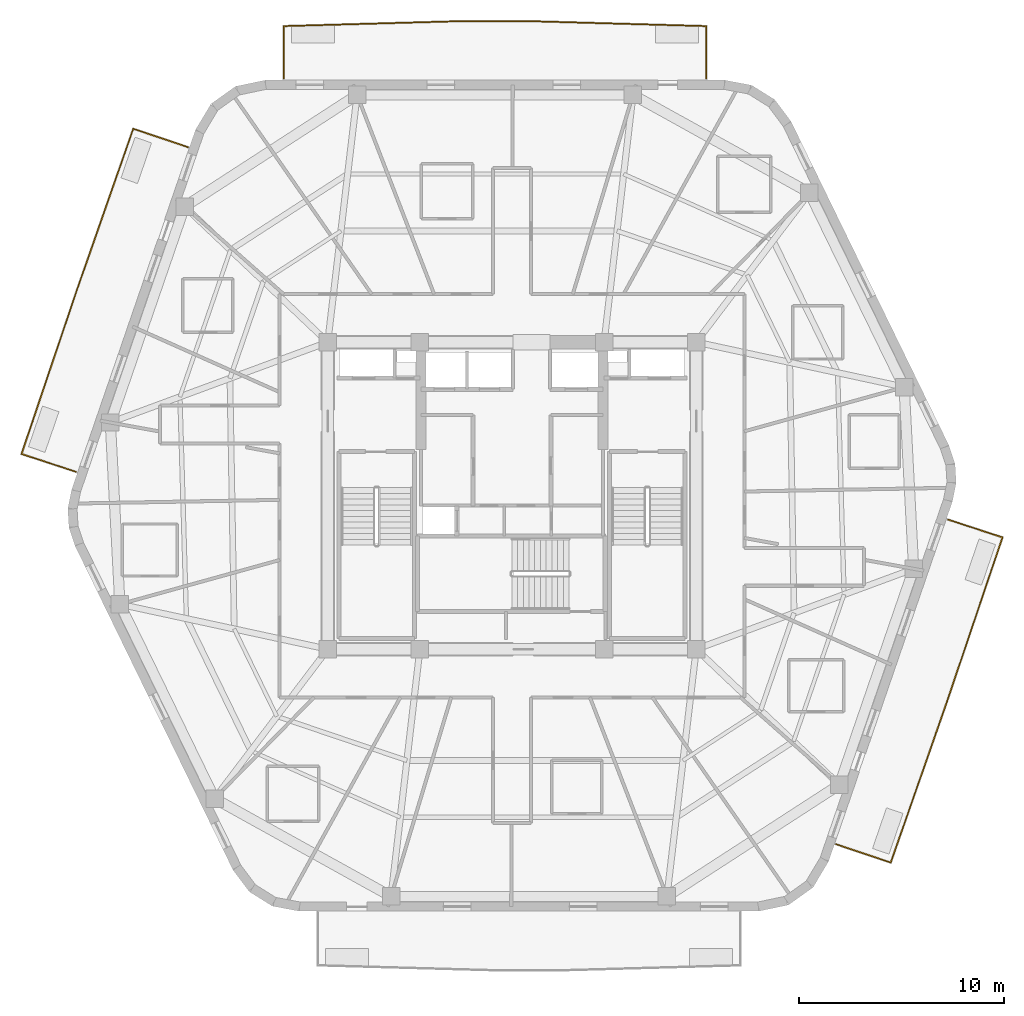
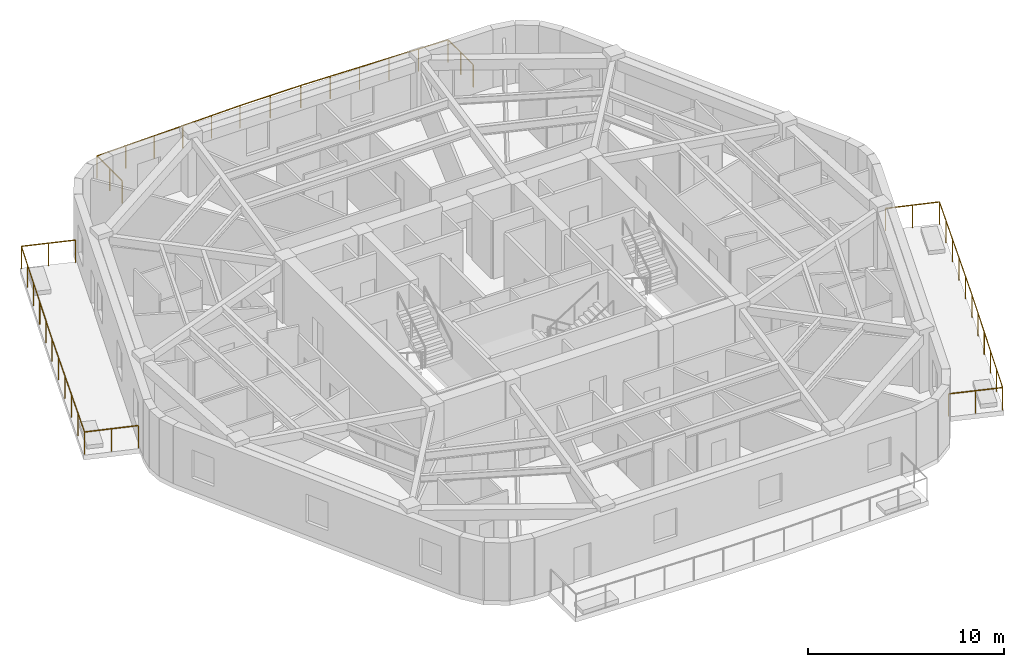
# One storey, part 9 of 9: 3 railings.
"""IFC4 building model written with IfcOpenShell, lengths in metres."""

import ifcopenshell
import ifcopenshell.guid

model = None  # the IFC model being written
_history = None  # IfcOwnerHistory: only IFC2X3 demands one
_inside = {}  # id of a spatial element -> (the spatial element, [elements in it])
_under = {}  # id of a project, library or spatial element -> (it, [spatial elements below it])
_declared = {}  # id of a project -> (the project, [libraries it declares])
_typed = {}  # id of a type object -> (the type object, [elements of that type])
_made_of = {}  # id of a material, layer set ... -> (it, [elements and type objects made of it])


def new_model(schema):
    """Start an empty IFC model of exactly this schema.

    Asked for "IFC4X3", IfcOpenShell would pick the latest addendum, in which some entities
    have other attributes; the version numbers below select the first issue.
    IFC2X3 requires an IfcOwnerHistory on every rooted entity: one is made here for all.
    """
    global model, _history
    if schema == "IFC4X3":
        model = ifcopenshell.file(schema_version=(4, 3, 0, 0))
    else:
        model = ifcopenshell.file(schema=schema)
    _inside.clear()
    _under.clear()
    _declared.clear()
    _typed.clear()
    _made_of.clear()
    _history = None
    if model.schema == "IFC2X3":
        org = make("IfcOrganization", Name="unknown")
        user = make(
            "IfcPersonAndOrganization",
            ThePerson=make("IfcPerson", FamilyName="unknown"),
            TheOrganization=org,
        )
        app = make(
            "IfcApplication",
            ApplicationDeveloper=org,
            Version="unknown",
            ApplicationFullName="unknown",
            ApplicationIdentifier="unknown",
        )
        _history = make(
            "IfcOwnerHistory",
            OwningUser=user,
            OwningApplication=app,
            ChangeAction="ADDED",
            CreationDate=0,
        )
    return model


def make(cls, **values):
    """One entity of the class cls with the attributes given. An attribute that is None is left unset."""
    return model.create_entity(
        cls, **{name: value for name, value in values.items() if value is not None}
    )


def rooted(cls, **values):
    """An entity with a GlobalId (a new one), such as an element, a storey or a relation."""
    return make(cls, GlobalId=ifcopenshell.guid.new(), OwnerHistory=_history, **values)


def si_unit(unit_type, name, prefix=None):
    """IfcSIUnit, for example si_unit("LENGTHUNIT", "METRE", prefix="MILLI")."""
    return make("IfcSIUnit", UnitType=unit_type, Prefix=prefix, Name=name)


def assignment(units):
    """IfcUnitAssignment: the units of a project."""
    return None if units is None else make("IfcUnitAssignment", Units=units)


def point(xyz):
    """IfcCartesianPoint."""
    return None if xyz is None else make("IfcCartesianPoint", Coordinates=xyz)


def direction(xyz):
    """IfcDirection."""
    return None if xyz is None else make("IfcDirection", DirectionRatios=xyz)


def frame(location, z_axis=None, x_axis=None):
    """IfcAxis2Placement3D, a coordinate frame: its origin and axes. An axis left out is left unset."""
    return make(
        "IfcAxis2Placement3D",
        Location=point(location),
        Axis=direction(z_axis),
        RefDirection=direction(x_axis),
    )


def frame_2d(location, x_axis=None):
    """IfcAxis2Placement2D, a coordinate frame in the plane: its origin and x axis."""
    return make(
        "IfcAxis2Placement2D", Location=point(location), RefDirection=direction(x_axis)
    )


def origin():
    """The frame at (0, 0, 0) with its axes left unset."""
    return frame((0.0, 0.0, 0.0))


def origin_2d():
    """The frame at (0, 0) in the plane with its x axis left unset."""
    return frame_2d((0.0, 0.0))


def place(relative_to, where):
    """IfcLocalPlacement: puts the frame where relative to a parent placement (None: the world)."""
    return make(
        "IfcLocalPlacement", PlacementRelTo=relative_to, RelativePlacement=where
    )


def context(
    kind, dimensions, precision=None, world=None, true_north=None, identifier=None
):
    """IfcGeometricRepresentationContext, for example the 3D "Model" context."""
    return make(
        "IfcGeometricRepresentationContext",
        ContextIdentifier=identifier,
        ContextType=kind,
        CoordinateSpaceDimension=dimensions,
        Precision=precision,
        WorldCoordinateSystem=world,
        TrueNorth=true_north,
    )


def subcontext(parent, identifier, kind, view, scale=None):
    """IfcGeometricRepresentationSubContext, for example "Body" below "Model"."""
    return make(
        "IfcGeometricRepresentationSubContext",
        ContextIdentifier=identifier,
        ContextType=kind,
        ParentContext=parent,
        TargetScale=scale,
        TargetView=view,
    )


def project(units=None, contexts=None):
    """IfcProject with its units and contexts."""
    return rooted(
        "IfcProject",
        Name="project",
        RepresentationContexts=contexts,
        UnitsInContext=assignment(units),
    )


def spatial(cls, under=None, at=None, **own):
    """A site, building, storey or space (cls), placed at a placement, below another one or the project."""
    s = rooted(cls, ObjectPlacement=at, **own)
    if under is not None:
        _under.setdefault(under.id(), (under, []))[1].append(s)
    return s


def profile(cls, at=None, kind="AREA", **sizes):
    """A parametric profile (cls). Its sizes go by their IFC names, for example OverallWidth=200.0."""
    return make(cls, ProfileType=kind, Position=at, **sizes)


def rectangle(**sizes):
    """IfcRectangleProfileDef."""
    return profile("IfcRectangleProfileDef", **sizes)


def extrude(swept, where, along, depth):
    """IfcExtrudedAreaSolid: the profile swept, set in the frame where, extruded along a direction by depth."""
    return make(
        "IfcExtrudedAreaSolid",
        SweptArea=swept,
        Position=where,
        ExtrudedDirection=direction(along),
        Depth=depth,
    )


def shape(context_of_items, identifier, shape_type, items):
    """IfcShapeRepresentation: the items that make up one representation, for example the "Body"."""
    return make(
        "IfcShapeRepresentation",
        ContextOfItems=context_of_items,
        RepresentationIdentifier=identifier,
        RepresentationType=shape_type,
        Items=items,
    )


def material(Name=None, Category=None):
    """IfcMaterial."""
    return make("IfcMaterial", Name=Name, Category=Category)


def layer(
    of_material, thickness, ventilated=None, Name=None, Category=None, Priority=None
):
    """IfcMaterialLayer: one layer of a wall or slab, of a material (None: an air gap)."""
    return make(
        "IfcMaterialLayer",
        Material=of_material,
        LayerThickness=thickness,
        IsVentilated=ventilated,
        Name=Name,
        Category=Category,
        Priority=Priority,
    )


def layer_set(layers, Name=None):
    """IfcMaterialLayerSet."""
    return make("IfcMaterialLayerSet", MaterialLayers=layers, LayerSetName=Name)


def made_of(thing, what):
    """Note that an element or type object is made of a material, layer set ...; save() writes the relation."""
    if what is not None:
        _made_of.setdefault(what.id(), (what, []))[1].append(thing)
    return thing


def type_object(cls, material=None, **own):
    """A type object (cls), such as IfcWallType, which elements share."""
    return made_of(rooted(cls, **own), material)


def element(
    cls,
    number,
    at=None,
    inside=None,
    cuts=None,
    type_object=None,
    material=None,
    context=None,
    identifier="Body",
    shape_type=None,
    held_by="IfcProductDefinitionShape",
    body=None,
    shapes=None,
    **own,
):
    """One element of the class cls, such as IfcWall. Its Tag is "e" and its number.

    at: its placement. inside: the storey or other place that contains it. cuts: it is an
    opening in that element (IfcRelVoidsElement). A single representation is given by context,
    identifier, shape_type and body (its items); several are given by shapes. held_by: the class
    of the entity that holds the representations. save() writes the other relations.
    """
    e = rooted(cls, Tag="e%d" % number, ObjectPlacement=at, **own)
    if body is not None:
        shapes = [shape(context, identifier, shape_type, body)]
    if shapes is not None:
        e.Representation = make(held_by, Representations=shapes)
    if inside is not None:
        _inside.setdefault(inside.id(), (inside, []))[1].append(e)
    if cuts is not None:
        rooted(
            "IfcRelVoidsElement", RelatingBuildingElement=cuts, RelatedOpeningElement=e
        )
    if type_object is not None:
        _typed.setdefault(type_object.id(), (type_object, []))[1].append(e)
    return made_of(e, material)


def aggregate(whole, parts):
    """IfcRelAggregates: a whole, such as a stair, and the parts it consists of."""
    return rooted("IfcRelAggregates", RelatingObject=whole, RelatedObjects=parts)


def save(model, path):
    """Write the relations noted so far, then the file.

    IfcRelAggregates (storeys below a building ...), IfcRelContainedInSpatialStructure (elements
    in a storey), IfcRelDefinesByType, IfcRelAssociatesMaterial and IfcRelDeclares: one each for
    every whole, place, type object, material and project.
    """
    for whole, parts in _under.values():
        aggregate(whole, parts)
    for where, things in _inside.values():
        rooted(
            "IfcRelContainedInSpatialStructure",
            RelatedElements=things,
            RelatingStructure=where,
        )
    for kind, things in _typed.values():
        rooted("IfcRelDefinesByType", RelatedObjects=things, RelatingType=kind)
    for what, things in _made_of.values():
        rooted("IfcRelAssociatesMaterial", RelatedObjects=things, RelatingMaterial=what)
    for by, libraries in _declared.values():
        rooted("IfcRelDeclares", RelatingContext=by, RelatedDefinitions=libraries)
    model.write(path)


model = new_model("IFC4")

# Units and contexts
model_context = context("Model", 3, precision=1e-05, world=origin(), true_north=direction((0.0, 1.0)))
body_context = subcontext(model_context, "Body", "Model", "MODEL_VIEW")
ifc_project = project(units=[si_unit("LENGTHUNIT", "METRE"), si_unit("AREAUNIT", "SQUARE_METRE"), si_unit("VOLUMEUNIT", "CUBIC_METRE"), si_unit("PLANEANGLEUNIT", "RADIAN"), si_unit("MASSUNIT", "GRAM", prefix="KILO")], contexts=[model_context])

# Site, building, storey
site_placement = place(None, origin())
site = spatial("IfcSite", under=ifc_project, at=site_placement, CompositionType="ELEMENT")
building_placement = place(site_placement, origin())
building = spatial("IfcBuilding", under=site, at=building_placement, Name="Kilnhurst Terrace Hotel", CompositionType="ELEMENT")
storey_placement = place(building_placement, frame((0.0, 0.0, 261.300048828125)))
storey = spatial("IfcBuildingStorey", under=building, at=storey_placement, Name="L65", CompositionType="ELEMENT", Elevation=261.300048828125)

# Railings
ifc_material = material(Name="Laminated SentryGlas and Stainless Steel AISI 316L Balustrade", Category="steel")
ifc_layer = layer(ifc_material, 0.070068359375, Name="Laminated SentryGlas and Stainless Steel AISI 316L Balustrade")
ifc_layer_set = layer_set([ifc_layer], Name="Laminated SentryGlas and Stainless Steel AISI 316L Balustrade")
railing_type = type_object("IfcRailingType", Name="RLG-BAL-1420", PredefinedType="BALUSTRADE", material=ifc_layer_set)
railing_1_placement = place(storey_placement, frame((21.298828125, -1.166748046875, 0.0)))
element("IfcRailing", 1, at=railing_1_placement, inside=storey, type_object=railing_type, Name="L65 Exterior Terrace Guardrail BAL-L1B.1", PredefinedType="BALUSTRADE", context=body_context, shape_type="SweptSolid", body=[
    extrude(rectangle(XDim=0.048095703125, YDim=0.048095703125, at=origin_2d()), frame((0.0, 0.0, 1.39599609375), z_axis=(0.950394786916, -0.311046216827, 0.0), x_axis=(0.311046216827, 0.950394786916, 0.0)), (0.0, 0.0, 1.0), 2.80126953125),
    extrude(rectangle(XDim=0.048095703125, YDim=0.048095703125, at=origin_2d()), frame((2.662353515625, -0.871337890625, 1.39599609375), z_axis=(-0.319895813217, -0.94745272636, 0.0), x_axis=(0.94745272636, -0.319895813217, 0.0)), (0.0, 0.0, 1.0), 8.44091796875),
    extrude(rectangle(XDim=0.048095703125, YDim=0.048095703125, at=origin_2d()), frame((-0.037841796875, -8.86865234375, 1.39599609375), z_axis=(-0.329893619994, -0.944018113962, 0.0), x_axis=(0.944018113962, -0.329893619994, 0.0)), (0.0, 0.0, 1.0), 8.356689453125),
    extrude(rectangle(XDim=0.048095703125, YDim=0.048095703125, at=origin_2d()), frame((-2.794677734375, -16.757568359375, 1.39599609375), z_axis=(-0.948082201611, 0.318025374757, 0.0), x_axis=(-0.318025374757, -0.948082201611, 0.0)), (0.0, 0.0, 1.0), 2.810546875),
    extrude(rectangle(XDim=0.0419921875, YDim=0.0419921875, at=origin_2d()), origin(), (0.0, 0.0, 1.0), 1.371826171875),
    extrude(rectangle(XDim=0.0419921875, YDim=0.0419921875, at=origin_2d()), frame((1.3310546875, -0.435546875, 0.0)), (0.0, 0.0, 1.0), 1.371826171875),
    extrude(rectangle(XDim=0.0419921875, YDim=0.0419921875, at=origin_2d()), frame((2.662353515625, -0.871337890625, 0.0)), (0.0, 0.0, 1.0), 1.371826171875),
    extrude(rectangle(XDim=0.0419921875, YDim=0.0419921875, at=origin_2d()), frame((2.122314453125, -2.470703125, 0.0)), (0.0, 0.0, 1.0), 1.371826171875),
    extrude(rectangle(XDim=0.0419921875, YDim=0.0419921875, at=origin_2d()), frame((1.582275390625, -4.0703125, 0.0)), (0.0, 0.0, 1.0), 1.371826171875),
    extrude(rectangle(XDim=0.0419921875, YDim=0.0419921875, at=origin_2d()), frame((1.042236328125, -5.669677734375, 0.0)), (0.0, 0.0, 1.0), 1.371826171875),
    extrude(rectangle(XDim=0.0419921875, YDim=0.0419921875, at=origin_2d()), frame((0.502197265625, -7.269287109375, 0.0)), (0.0, 0.0, 1.0), 1.371826171875),
    extrude(rectangle(XDim=0.0419921875, YDim=0.0419921875, at=origin_2d()), frame((-0.037841796875, -8.86865234375, 0.0)), (0.0, 0.0, 1.0), 1.371826171875),
    extrude(rectangle(XDim=0.0419921875, YDim=0.0419921875, at=origin_2d()), frame((-0.589111328125, -10.446533203125, 0.0)), (0.0, 0.0, 1.0), 1.371826171875),
    extrude(rectangle(XDim=0.0419921875, YDim=0.0419921875, at=origin_2d()), frame((-1.140625, -12.024169921875, 0.0)), (0.0, 0.0, 1.0), 1.371826171875),
    extrude(rectangle(XDim=0.0419921875, YDim=0.0419921875, at=origin_2d()), frame((-1.69189453125, -13.60205078125, 0.0)), (0.0, 0.0, 1.0), 1.371826171875),
    extrude(rectangle(XDim=0.0419921875, YDim=0.0419921875, at=origin_2d()), frame((-2.243408203125, -15.1796875, 0.0)), (0.0, 0.0, 1.0), 1.371826171875),
    extrude(rectangle(XDim=0.0419921875, YDim=0.0419921875, at=origin_2d()), frame((-2.794677734375, -16.757568359375, 0.0)), (0.0, 0.0, 1.0), 1.371826171875),
    extrude(rectangle(XDim=0.0419921875, YDim=0.0419921875, at=origin_2d()), frame((-4.126953125, -16.310546875, 0.0)), (0.0, 0.0, 1.0), 1.371826171875),
    extrude(rectangle(XDim=0.0419921875, YDim=0.0419921875, at=origin_2d()), frame((-5.459228515625, -15.86376953125, 0.0)), (0.0, 0.0, 1.0), 1.371826171875),
])
railing_2_placement = place(storey_placement, frame((-11.151611328125, 20.3798828125, 0.0)))
element("IfcRailing", 2, at=railing_2_placement, inside=storey, type_object=railing_type, Name="L65 Exterior Terrace Guardrail BAL-L2A.1", PredefinedType="BALUSTRADE", context=body_context, shape_type="SweptSolid", body=[
    extrude(rectangle(XDim=0.048095703125, YDim=0.048095703125, at=origin_2d()), frame((0.0, 0.0, 1.39599609375), z_axis=(0.0, 1.0, 0.0), x_axis=(-1.0, 0.0, 0.0)), (0.0, 0.0, 1.0), 2.561767578125),
    extrude(rectangle(XDim=0.048095703125, YDim=0.048095703125, at=origin_2d()), frame((0.0, 2.561767578125, 1.39599609375), z_axis=(0.999610218954, 0.027917918323, 0.0), x_axis=(-0.027917918323, 0.999610218954, 0.0)), (0.0, 0.0, 1.0), 8.53515625),
    extrude(rectangle(XDim=0.048095703125, YDim=0.048095703125, at=origin_2d()), frame((8.53173828125, 2.800048828125, 1.39599609375), z_axis=(1.0, 0.0, 0.0), x_axis=(0.0, 1.0, 0.0)), (0.0, 0.0, 1.0), 3.577880859375),
    extrude(rectangle(XDim=0.048095703125, YDim=0.048095703125, at=origin_2d()), frame((12.109619140625, 2.800048828125, 1.39599609375), z_axis=(0.999610218954, -0.027917918323, 0.0), x_axis=(0.027917918323, 0.999610218954, 0.0)), (0.0, 0.0, 1.0), 8.53515625),
    extrude(rectangle(XDim=0.048095703125, YDim=0.048095703125, at=origin_2d()), frame((20.641357421875, 2.561767578125, 1.39599609375), z_axis=(0.0, -1.0, 0.0), x_axis=(1.0, 0.0, 0.0)), (0.0, 0.0, 1.0), 2.561767578125),
    extrude(rectangle(XDim=0.0419921875, YDim=0.0419921875, at=origin_2d()), origin(), (0.0, 0.0, 1.0), 1.371826171875),
    extrude(rectangle(XDim=0.0419921875, YDim=0.0419921875, at=origin_2d()), frame((0.0, 1.28076171875, 0.0)), (0.0, 0.0, 1.0), 1.371826171875),
    extrude(rectangle(XDim=0.0419921875, YDim=0.0419921875, at=origin_2d()), frame((0.0, 2.561767578125, 0.0)), (0.0, 0.0, 1.0), 1.371826171875),
    extrude(rectangle(XDim=0.0419921875, YDim=0.0419921875, at=origin_2d()), frame((1.706298828125, 2.609375, 0.0)), (0.0, 0.0, 1.0), 1.371826171875),
    extrude(rectangle(XDim=0.0419921875, YDim=0.0419921875, at=origin_2d()), frame((3.41259765625, 2.656982421875, 0.0)), (0.0, 0.0, 1.0), 1.371826171875),
    extrude(rectangle(XDim=0.0419921875, YDim=0.0419921875, at=origin_2d()), frame((5.119140625, 2.704833984375, 0.0)), (0.0, 0.0, 1.0), 1.371826171875),
    extrude(rectangle(XDim=0.0419921875, YDim=0.0419921875, at=origin_2d()), frame((6.825439453125, 2.75244140625, 0.0)), (0.0, 0.0, 1.0), 1.371826171875),
    extrude(rectangle(XDim=0.0419921875, YDim=0.0419921875, at=origin_2d()), frame((8.53173828125, 2.800048828125, 0.0)), (0.0, 0.0, 1.0), 1.371826171875),
    extrude(rectangle(XDim=0.0419921875, YDim=0.0419921875, at=origin_2d()), frame((10.32080078125, 2.800048828125, 0.0)), (0.0, 0.0, 1.0), 1.371826171875),
    extrude(rectangle(XDim=0.0419921875, YDim=0.0419921875, at=origin_2d()), frame((12.109619140625, 2.800048828125, 0.0)), (0.0, 0.0, 1.0), 1.371826171875),
    extrude(rectangle(XDim=0.0419921875, YDim=0.0419921875, at=origin_2d()), frame((13.81591796875, 2.75244140625, 0.0)), (0.0, 0.0, 1.0), 1.371826171875),
    extrude(rectangle(XDim=0.0419921875, YDim=0.0419921875, at=origin_2d()), frame((15.522216796875, 2.704833984375, 0.0)), (0.0, 0.0, 1.0), 1.371826171875),
    extrude(rectangle(XDim=0.0419921875, YDim=0.0419921875, at=origin_2d()), frame((17.228759765625, 2.656982421875, 0.0)), (0.0, 0.0, 1.0), 1.371826171875),
    extrude(rectangle(XDim=0.0419921875, YDim=0.0419921875, at=origin_2d()), frame((18.93505859375, 2.609375, 0.0)), (0.0, 0.0, 1.0), 1.371826171875),
    extrude(rectangle(XDim=0.0419921875, YDim=0.0419921875, at=origin_2d()), frame((20.641357421875, 2.561767578125, 0.0)), (0.0, 0.0, 1.0), 1.371826171875),
    extrude(rectangle(XDim=0.0419921875, YDim=0.0419921875, at=origin_2d()), frame((20.641357421875, 1.28076171875, 0.0)), (0.0, 0.0, 1.0), 1.371826171875),
    extrude(rectangle(XDim=0.0419921875, YDim=0.0419921875, at=origin_2d()), frame((20.641357421875, 0.0, 0.0)), (0.0, 0.0, 1.0), 1.371826171875),
])
railing_3_placement = place(storey_placement, frame((-21.298828125, 1.166748046875, 0.0)))
element("IfcRailing", 3, at=railing_3_placement, inside=storey, type_object=railing_type, Name="L65 Exterior Terrace Guardrail BAL-L2B.1", PredefinedType="BALUSTRADE", context=body_context, shape_type="SweptSolid", body=[
    extrude(rectangle(XDim=0.048095703125, YDim=0.048095703125, at=origin_2d()), frame((0.0, 0.0, 1.39599609375), z_axis=(-0.950394786916, 0.311046216827, 0.0), x_axis=(-0.311046216827, -0.950394786916, 0.0)), (0.0, 0.0, 1.0), 2.80126953125),
    extrude(rectangle(XDim=0.048095703125, YDim=0.048095703125, at=origin_2d()), frame((-2.662353515625, 0.871337890625, 1.39599609375), z_axis=(0.319895813217, 0.94745272636, 0.0), x_axis=(-0.94745272636, 0.319895813217, 0.0)), (0.0, 0.0, 1.0), 8.44091796875),
    extrude(rectangle(XDim=0.048095703125, YDim=0.048095703125, at=origin_2d()), frame((0.037841796875, 8.86865234375, 1.39599609375), z_axis=(0.329893619994, 0.944018113962, 0.0), x_axis=(-0.944018113962, 0.329893619994, 0.0)), (0.0, 0.0, 1.0), 8.356689453125),
    extrude(rectangle(XDim=0.048095703125, YDim=0.048095703125, at=origin_2d()), frame((2.794677734375, 16.757568359375, 1.39599609375), z_axis=(0.948082201611, -0.318025374757, 0.0), x_axis=(0.318025374757, 0.948082201611, 0.0)), (0.0, 0.0, 1.0), 2.810546875),
    extrude(rectangle(XDim=0.0419921875, YDim=0.0419921875, at=origin_2d()), origin(), (0.0, 0.0, 1.0), 1.371826171875),
    extrude(rectangle(XDim=0.0419921875, YDim=0.0419921875, at=origin_2d()), frame((-1.3310546875, 0.435546875, 0.0)), (0.0, 0.0, 1.0), 1.371826171875),
    extrude(rectangle(XDim=0.0419921875, YDim=0.0419921875, at=origin_2d()), frame((-2.662353515625, 0.871337890625, 0.0)), (0.0, 0.0, 1.0), 1.371826171875),
    extrude(rectangle(XDim=0.0419921875, YDim=0.0419921875, at=origin_2d()), frame((-2.122314453125, 2.470703125, 0.0)), (0.0, 0.0, 1.0), 1.371826171875),
    extrude(rectangle(XDim=0.0419921875, YDim=0.0419921875, at=origin_2d()), frame((-1.582275390625, 4.0703125, 0.0)), (0.0, 0.0, 1.0), 1.371826171875),
    extrude(rectangle(XDim=0.0419921875, YDim=0.0419921875, at=origin_2d()), frame((-1.042236328125, 5.669677734375, 0.0)), (0.0, 0.0, 1.0), 1.371826171875),
    extrude(rectangle(XDim=0.0419921875, YDim=0.0419921875, at=origin_2d()), frame((-0.502197265625, 7.269287109375, 0.0)), (0.0, 0.0, 1.0), 1.371826171875),
    extrude(rectangle(XDim=0.0419921875, YDim=0.0419921875, at=origin_2d()), frame((0.037841796875, 8.86865234375, 0.0)), (0.0, 0.0, 1.0), 1.371826171875),
    extrude(rectangle(XDim=0.0419921875, YDim=0.0419921875, at=origin_2d()), frame((0.589111328125, 10.446533203125, 0.0)), (0.0, 0.0, 1.0), 1.371826171875),
    extrude(rectangle(XDim=0.0419921875, YDim=0.0419921875, at=origin_2d()), frame((1.140625, 12.024169921875, 0.0)), (0.0, 0.0, 1.0), 1.371826171875),
    extrude(rectangle(XDim=0.0419921875, YDim=0.0419921875, at=origin_2d()), frame((1.69189453125, 13.60205078125, 0.0)), (0.0, 0.0, 1.0), 1.371826171875),
    extrude(rectangle(XDim=0.0419921875, YDim=0.0419921875, at=origin_2d()), frame((2.243408203125, 15.1796875, 0.0)), (0.0, 0.0, 1.0), 1.371826171875),
    extrude(rectangle(XDim=0.0419921875, YDim=0.0419921875, at=origin_2d()), frame((2.794677734375, 16.757568359375, 0.0)), (0.0, 0.0, 1.0), 1.371826171875),
    extrude(rectangle(XDim=0.0419921875, YDim=0.0419921875, at=origin_2d()), frame((4.126953125, 16.310546875, 0.0)), (0.0, 0.0, 1.0), 1.371826171875),
    extrude(rectangle(XDim=0.0419921875, YDim=0.0419921875, at=origin_2d()), frame((5.459228515625, 15.86376953125, 0.0)), (0.0, 0.0, 1.0), 1.371826171875),
])

save(model, "model.ifc")
